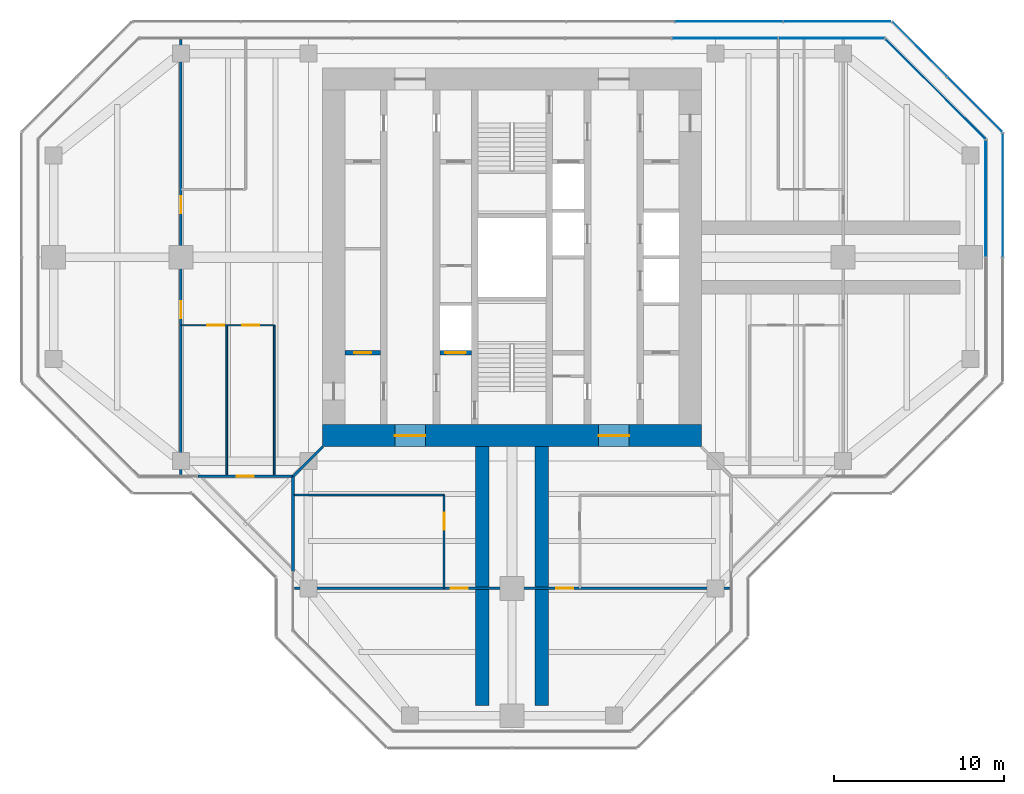
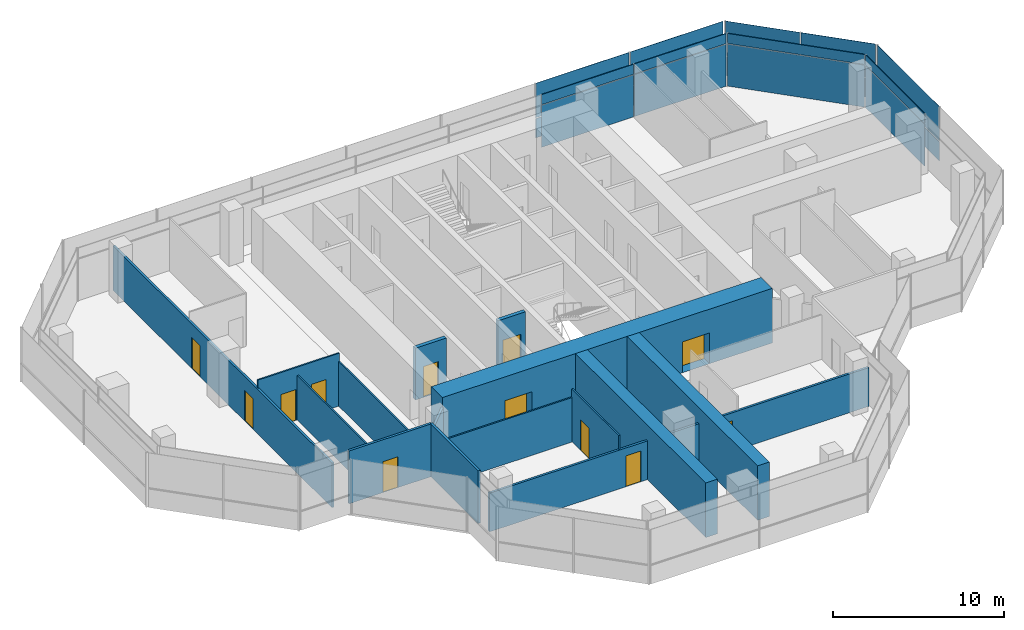
# One storey, part 11 of 16: 18 plates, 15 walls, 12 doors, 12 openings, 6 elements without a shape of their own.
"""IFC4 building model written with IfcOpenShell, lengths in metres."""

from ifc_helpers import new_model, si_unit, direction, frame, frame_2d, origin, origin_2d, place, context, subcontext, project, spatial, rectangle, extrude, material, layer, layer_set, type_object, element, fill, aggregate, save


model = new_model("IFC4")

# Units and contexts
model_context = context("Model", 3, precision=1e-05, world=origin(), true_north=direction((0.0, 1.0)))
body_context = subcontext(model_context, "Body", "Model", "MODEL_VIEW")
ifc_project = project(units=[si_unit("LENGTHUNIT", "METRE"), si_unit("AREAUNIT", "SQUARE_METRE"), si_unit("VOLUMEUNIT", "CUBIC_METRE"), si_unit("PLANEANGLEUNIT", "RADIAN"), si_unit("MASSUNIT", "GRAM", prefix="KILO")], contexts=[model_context])

# Site, building, storey
site_placement = place(None, origin())
site = spatial("IfcSite", under=ifc_project, at=site_placement, CompositionType="ELEMENT")
building_placement = place(site_placement, origin())
building = spatial("IfcBuilding", under=site, at=building_placement, Name="Mizan Broadcast Tower", CompositionType="ELEMENT")
storey_placement = place(building_placement, frame((0.0, 0.0, 294.60009765625)))
storey = spatial("IfcBuildingStorey", under=building, at=storey_placement, Name="L70", CompositionType="ELEMENT", Elevation=294.60009765625)

# Curtain wall, plate
ifc_material_1 = material(Name="Aluminium framed glazing", Category="aluminium")
curtain_wall_type_1 = type_object("IfcCurtainWallType", Name="INNER SKIN TOP ZONE", PredefinedType="USERDEFINED", material=ifc_material_1)
curtain_wall_1_placement = place(storey_placement, origin())
curtain_wall_1 = element("IfcCurtainWall", 1, at=curtain_wall_1_placement, inside=storey, type_object=curtain_wall_type_1, Name="Inner skin top zone L70 E end", ObjectType="INNER SKIN TOP ZONE", PredefinedType="USERDEFINED")
ifc_material_2 = material(Name="Double glazing, clear low-e", Category="glass")
ifc_layer_1 = layer(ifc_material_2, 0.028076171875)
ifc_layer_set_1 = layer_set([ifc_layer_1], Name="Double glazing, clear low-e")
plate_type_1 = type_object("IfcPlateType", Name="INNER SKIN GLAZING UNIT", PredefinedType="CURTAIN_PANEL", material=ifc_layer_set_1)
plate_1_placement = place(storey_placement, frame((27.89990234375, 3.46435546875, 0.0), z_axis=(0.0, 0.0, 1.0), x_axis=(0.0, 1.0, 0.0)))
plate_1 = element("IfcPlate", 2, at=plate_1_placement, type_object=plate_type_1, Name="Inner skin top zone L70 E end panel 2.1", PredefinedType="CURTAIN_PANEL", context=body_context, shape_type="SweptSolid", body=[
    extrude(rectangle(XDim=6.86865234375, YDim=0.028076171875, at=origin_2d()), origin(), (0.0, 0.0, 1.0), 3.0),
])

curtain_wall_2_placement = place(storey_placement, origin())
curtain_wall_2 = element("IfcCurtainWall", 3, at=curtain_wall_2_placement, inside=storey, type_object=curtain_wall_type_1, Name="Inner skin top zone L70 E chamfer", ObjectType="INNER SKIN TOP ZONE", PredefinedType="USERDEFINED")
plate_2_placement = place(storey_placement, frame((24.92919921875, 9.92919921875, 0.0), z_axis=(0.0, 0.0, 1.0), x_axis=(-0.707106781187, 0.707106781187, 0.0)))
plate_2 = element("IfcPlate", 4, at=plate_2_placement, type_object=plate_type_1, Name="Inner skin top zone L70 E chamfer panel 1.1", PredefinedType="CURTAIN_PANEL", context=body_context, shape_type="SweptSolid", body=[
    extrude(rectangle(XDim=8.282470703125, YDim=0.028076171875, at=origin_2d()), origin(), (0.0, 0.0, 1.0), 3.0),
])

# Curtain wall, plates
curtain_wall_3_placement = place(storey_placement, origin())
curtain_wall_3 = element("IfcCurtainWall", 5, at=curtain_wall_3_placement, inside=storey, type_object=curtain_wall_type_1, Name="Inner skin top zone L70 N end", ObjectType="INNER SKIN TOP ZONE", PredefinedType="USERDEFINED")
plate_3_placement = place(storey_placement, frame((18.806640625, 12.89990234375, 0.0), z_axis=(0.0, 0.0, 1.0), x_axis=(-1.0, 0.0, 0.0)))
plate_3 = element("IfcPlate", 6, at=plate_3_placement, type_object=plate_type_1, Name="Inner skin top zone L70 N end panel 1.1", PredefinedType="CURTAIN_PANEL", context=body_context, shape_type="SweptSolid", body=[
    extrude(rectangle(XDim=6.183837890625, YDim=0.028076171875, at=origin_2d()), origin(), (0.0, 0.0, 1.0), 3.0),
])
plate_4_placement = place(storey_placement, frame((12.5478515625, 12.89990234375, 0.0), z_axis=(0.0, 0.0, 1.0), x_axis=(-1.0, 0.0, 0.0)))
plate_4 = element("IfcPlate", 7, at=plate_4_placement, type_object=plate_type_1, Name="Inner skin top zone L70 N end panel 2.1", PredefinedType="CURTAIN_PANEL", context=body_context, shape_type="SweptSolid", body=[
    extrude(rectangle(XDim=6.2138671875, YDim=0.028076171875, at=origin_2d()), origin(), (0.0, 0.0, 1.0), 3.0),
])

# Plate
ifc_material_3 = material(Name="Insulated aluminium spandrel panel, pale anodised", Category="aluminium")
ifc_layer_2 = layer(ifc_material_3, 0.050048828125)
ifc_layer_set_2 = layer_set([ifc_layer_2], Name="Insulated aluminium spandrel panel, pale anodised")
plate_type_2 = type_object("IfcPlateType", Name="INNER SKIN SPANDREL PANEL", PredefinedType="CURTAIN_PANEL", material=ifc_layer_set_2)
plate_5_placement = place(storey_placement, frame((27.89990234375, 3.46435546875, 3.059814453125), z_axis=(0.0, 0.0, 1.0), x_axis=(0.0, 1.0, 0.0)))
plate_5 = element("IfcPlate", 8, at=plate_5_placement, type_object=plate_type_2, Name="Inner skin top zone L70 E end panel 2.2", PredefinedType="CURTAIN_PANEL", context=body_context, shape_type="SweptSolid", body=[
    extrude(rectangle(XDim=6.86865234375, YDim=0.050048828125, at=origin_2d()), origin(), (0.0, 0.0, 1.0), 0.7099609375),
])

aggregate(curtain_wall_1, [plate_1, plate_5])

plate_6_placement = place(storey_placement, frame((24.92919921875, 9.92919921875, 3.059814453125), z_axis=(0.0, 0.0, 1.0), x_axis=(-0.707106781187, 0.707106781187, 0.0)))
plate_6 = element("IfcPlate", 9, at=plate_6_placement, type_object=plate_type_2, Name="Inner skin top zone L70 E chamfer panel 1.2", PredefinedType="CURTAIN_PANEL", context=body_context, shape_type="SweptSolid", body=[
    extrude(rectangle(XDim=8.282470703125, YDim=0.050048828125, at=origin_2d()), origin(), (0.0, 0.0, 1.0), 0.7099609375),
])

aggregate(curtain_wall_2, [plate_2, plate_6])

plate_7_placement = place(storey_placement, frame((18.806640625, 12.89990234375, 3.059814453125), z_axis=(0.0, 0.0, 1.0), x_axis=(-1.0, 0.0, 0.0)))
plate_7 = element("IfcPlate", 10, at=plate_7_placement, type_object=plate_type_2, Name="Inner skin top zone L70 N end panel 1.2", PredefinedType="CURTAIN_PANEL", context=body_context, shape_type="SweptSolid", body=[
    extrude(rectangle(XDim=6.183837890625, YDim=0.050048828125, at=origin_2d()), origin(), (0.0, 0.0, 1.0), 0.7099609375),
])

plate_8_placement = place(storey_placement, frame((12.5478515625, 12.89990234375, 3.059814453125), z_axis=(0.0, 0.0, 1.0), x_axis=(-1.0, 0.0, 0.0)))
plate_8 = element("IfcPlate", 11, at=plate_8_placement, type_object=plate_type_2, Name="Inner skin top zone L70 N end panel 2.2", PredefinedType="CURTAIN_PANEL", context=body_context, shape_type="SweptSolid", body=[
    extrude(rectangle(XDim=6.2138671875, YDim=0.050048828125, at=origin_2d()), origin(), (0.0, 0.0, 1.0), 0.7099609375),
])

aggregate(curtain_wall_3, [plate_3, plate_7, plate_4, plate_8])

# Curtain wall, plates
ifc_material_4 = material(Name="Aluminium framed glazing", Category="aluminium")
curtain_wall_type_2 = type_object("IfcCurtainWallType", Name="OUTER SKIN", PredefinedType="USERDEFINED", material=ifc_material_4)
curtain_wall_4_placement = place(storey_placement, origin())
curtain_wall_4 = element("IfcCurtainWall", 12, at=curtain_wall_4_placement, inside=storey, type_object=curtain_wall_type_2, Name="Outer skin L70 E chamfer", ObjectType="OUTER SKIN", PredefinedType="USERDEFINED")
ifc_material_5 = material(Name="Laminated clear glass", Category="glass")
ifc_layer_3 = layer(ifc_material_5, 0.02001953125)
ifc_layer_set_3 = layer_set([ifc_layer_3], Name="Laminated clear glass")
plate_type_3 = type_object("IfcPlateType", Name="OUTER SKIN CLEAR GLASS", PredefinedType="CURTAIN_PANEL", material=ifc_layer_set_3)
plate_9_placement = place(storey_placement, frame((27.254150390625, 9.018798828125, -0.000244140625), z_axis=(0.0, 0.0, 1.0), x_axis=(-0.707106781187, 0.707106781187, 0.0)))
plate_9 = element("IfcPlate", 13, at=plate_9_placement, type_object=plate_type_3, Name="Outer skin L70 E chamfer panel 1.1", PredefinedType="CURTAIN_PANEL", context=body_context, shape_type="SweptSolid", body=[
    extrude(rectangle(XDim=4.495361328125, YDim=0.02001953125, at=origin_2d()), origin(), (0.0, 0.0, 1.0), 1.3701171875),
])
plate_10_placement = place(storey_placement, frame((27.254150390625, 9.018798828125, 1.4296875), z_axis=(0.0, 0.0, 1.0), x_axis=(-0.707106781187, 0.707106781187, 0.0)))
plate_10 = element("IfcPlate", 14, at=plate_10_placement, type_object=plate_type_3, Name="Outer skin L70 E chamfer panel 1.2", PredefinedType="CURTAIN_PANEL", context=body_context, shape_type="SweptSolid", body=[
    extrude(rectangle(XDim=4.495361328125, YDim=0.02001953125, at=origin_2d()), origin(), (0.0, 0.0, 1.0), 2.469970703125),
])

curtain_wall_5_placement = place(storey_placement, origin())
curtain_wall_5 = element("IfcCurtainWall", 15, at=curtain_wall_5_placement, inside=storey, type_object=curtain_wall_type_2, Name="Outer skin L70 N end", ObjectType="OUTER SKIN", PredefinedType="USERDEFINED")
plate_11_placement = place(storey_placement, frame((19.15673828125, 13.89990234375, -0.000244140625), z_axis=(0.0, 0.0, 1.0), x_axis=(-1.0, 0.0, 0.0)))
plate_11 = element("IfcPlate", 16, at=plate_11_placement, type_object=plate_type_3, Name="Outer skin L70 N end panel 1.1", PredefinedType="CURTAIN_PANEL", context=body_context, shape_type="SweptSolid", body=[
    extrude(rectangle(XDim=6.272216796875, YDim=0.02001953125, at=origin_2d()), origin(), (0.0, 0.0, 1.0), 1.3701171875),
])
plate_12_placement = place(storey_placement, frame((19.15673828125, 13.89990234375, 1.4296875), z_axis=(0.0, 0.0, 1.0), x_axis=(-1.0, 0.0, 0.0)))
plate_12 = element("IfcPlate", 17, at=plate_12_placement, type_object=plate_type_3, Name="Outer skin L70 N end panel 1.2", PredefinedType="CURTAIN_PANEL", context=body_context, shape_type="SweptSolid", body=[
    extrude(rectangle(XDim=6.272216796875, YDim=0.02001953125, at=origin_2d()), origin(), (0.0, 0.0, 1.0), 2.469970703125),
])
plate_13_placement = place(storey_placement, frame((12.784423828125, 13.89990234375, -0.000244140625), z_axis=(0.0, 0.0, 1.0), x_axis=(-1.0, 0.0, 0.0)))
plate_13 = element("IfcPlate", 18, at=plate_13_placement, type_object=plate_type_3, Name="Outer skin L70 N end panel 2.1", PredefinedType="CURTAIN_PANEL", context=body_context, shape_type="SweptSolid", body=[
    extrude(rectangle(XDim=6.312255859375, YDim=0.02001953125, at=origin_2d()), origin(), (0.0, 0.0, 1.0), 1.3701171875),
])
plate_14_placement = place(storey_placement, frame((12.784423828125, 13.89990234375, 1.4296875), z_axis=(0.0, 0.0, 1.0), x_axis=(-1.0, 0.0, 0.0)))
plate_14 = element("IfcPlate", 19, at=plate_14_placement, type_object=plate_type_3, Name="Outer skin L70 N end panel 2.2", PredefinedType="CURTAIN_PANEL", context=body_context, shape_type="SweptSolid", body=[
    extrude(rectangle(XDim=6.312255859375, YDim=0.02001953125, at=origin_2d()), origin(), (0.0, 0.0, 1.0), 2.469970703125),
])
aggregate(curtain_wall_5, [plate_11, plate_12, plate_13, plate_14])

curtain_wall_6_placement = place(storey_placement, origin())
curtain_wall_6 = element("IfcCurtainWall", 20, at=curtain_wall_6_placement, inside=storey, type_object=curtain_wall_type_2, Name="Outer skin L70 E end", ObjectType="OUTER SKIN", PredefinedType="USERDEFINED")
ifc_material_6 = material(Name="Perforated aluminium, pale anodised", Category="aluminium")
ifc_layer_4 = layer(ifc_material_6, 0.011962890625)
ifc_layer_set_4 = layer_set([ifc_layer_4], Name="Perforated aluminium, pale anodised")
plate_type_4 = type_object("IfcPlateType", Name="OUTER SKIN PERFORATED SCREEN", PredefinedType="USERDEFINED", material=ifc_layer_set_4)
plate_15_placement = place(storey_placement, frame((28.89990234375, 3.66650390625, -0.000244140625), z_axis=(0.0, 0.0, 1.0), x_axis=(0.0, 1.0, 0.0)))
plate_15 = element("IfcPlate", 21, at=plate_15_placement, type_object=plate_type_4, Name="Outer skin L70 E end panel 2.1", ObjectType="SCREEN", PredefinedType="USERDEFINED", context=body_context, shape_type="SweptSolid", body=[
    extrude(rectangle(XDim=7.252685546875, YDim=0.011962890625, at=origin_2d()), origin(), (0.0, 0.0, 1.0), 1.3701171875),
])
plate_16_placement = place(storey_placement, frame((28.89990234375, 3.66650390625, 1.4296875), z_axis=(0.0, 0.0, 1.0), x_axis=(0.0, 1.0, 0.0)))
plate_16 = element("IfcPlate", 22, at=plate_16_placement, type_object=plate_type_4, Name="Outer skin L70 E end panel 2.2", ObjectType="SCREEN", PredefinedType="USERDEFINED", context=body_context, shape_type="SweptSolid", body=[
    extrude(rectangle(XDim=7.252685546875, YDim=0.011962890625, at=origin_2d()), origin(), (0.0, 0.0, 1.0), 2.469970703125),
])
aggregate(curtain_wall_6, [plate_15, plate_16])

# Plate
plate_17_placement = place(storey_placement, frame((24.018798828125, 12.254150390625, -0.000244140625), z_axis=(0.0, 0.0, 1.0), x_axis=(-0.707106781187, 0.707106781187, 0.0)))
plate_17 = element("IfcPlate", 23, at=plate_17_placement, type_object=plate_type_4, Name="Outer skin L70 E chamfer panel 2.1", ObjectType="SCREEN", PredefinedType="USERDEFINED", context=body_context, shape_type="SweptSolid", body=[
    extrude(rectangle(XDim=4.495361328125, YDim=0.011962890625, at=origin_2d()), origin(), (0.0, 0.0, 1.0), 1.3701171875),
])

plate_18_placement = place(storey_placement, frame((24.018798828125, 12.254150390625, 1.4296875), z_axis=(0.0, 0.0, 1.0), x_axis=(-0.707106781187, 0.707106781187, 0.0)))
plate_18 = element("IfcPlate", 24, at=plate_18_placement, type_object=plate_type_4, Name="Outer skin L70 E chamfer panel 2.2", ObjectType="SCREEN", PredefinedType="USERDEFINED", context=body_context, shape_type="SweptSolid", body=[
    extrude(rectangle(XDim=4.495361328125, YDim=0.011962890625, at=origin_2d()), origin(), (0.0, 0.0, 1.0), 2.469970703125),
])

aggregate(curtain_wall_4, [plate_9, plate_10, plate_17, plate_18])

# Wall, openings, doors
ifc_material_7 = material(Name="Concrete C70/85", Category="concrete")
ifc_layer_5 = layer(ifc_material_7, 1.300048828125)
ifc_layer_set_5 = layer_set([ifc_layer_5], Name="Concrete C70/85")
wall_type_1 = type_object("IfcWallType", Name="CORE WALL 1300", PredefinedType="SHEAR", material=ifc_layer_set_5)
wall_1_placement = place(storey_placement, frame((11.14990234375, -10.5, 0.0), z_axis=(0.0, 0.0, 1.0), x_axis=(-1.0, 0.0, 0.0)))
wall_1 = element("IfcWall", 25, at=wall_1_placement, inside=storey, type_object=wall_type_1, Name="Core wall S L70", PredefinedType="SHEAR", context=body_context, shape_type="SweptSolid", body=[
    extrude(rectangle(XDim=22.2998046875, YDim=1.300048828125, at=frame_2d((11.14990234375, 0.0))), origin(), (0.0, 0.0, 1.0), 3.89990234375),
])
opening_1_placement = place(wall_1_placement, frame((16.25, 0.0, 0.0)))
opening_1 = element("IfcOpeningElement", 26, at=opening_1_placement, cuts=wall_1, Name="Opening D18F", PredefinedType="OPENING", context=body_context, shape_type="SweptSolid", body=[
    extrude(rectangle(XDim=1.800048828125, YDim=2.199951171875, at=frame_2d((0.89990234375, 1.10009765625))), frame((0.0, 0.659912109375, 0.0), z_axis=(0.0, -1.0, 0.0), x_axis=(1.0, 0.0, 0.0)), (0.0, 0.0, 1.0), 1.320068359375),
])
opening_2_placement = place(wall_1_placement, frame((4.25, 0.0, 0.0)))
opening_2 = element("IfcOpeningElement", 27, at=opening_2_placement, cuts=wall_1, Name="Opening D18F", PredefinedType="OPENING", context=body_context, shape_type="SweptSolid", body=[
    extrude(rectangle(XDim=1.800048828125, YDim=2.199951171875, at=frame_2d((0.89990234375, 1.10009765625))), frame((0.0, 0.659912109375, 0.0), z_axis=(0.0, -1.0, 0.0), x_axis=(1.0, 0.0, 0.0)), (0.0, 0.0, 1.0), 1.320068359375),
])
ifc_material_8 = material(Name="Steel door leaf in steel frame", Category="steel")
door_type_1 = type_object("IfcDoorType", Name="LOBBY DOUBLE DOOR 1800 FD90", OperationType="DOUBLE_DOOR_DOUBLE_SWING", PredefinedType="DOOR", material=ifc_material_8)
door_1_placement = place(opening_1_placement, origin())
door_1 = element("IfcDoor", 28, at=door_1_placement, inside=storey, type_object=door_type_1, Name="West lift lobby south door", OperationType="DOUBLE_DOOR_DOUBLE_SWING", OverallHeight=2.199951171875, OverallWidth=1.800048828125, PredefinedType="DOOR", context=body_context, shape_type="SweptSolid", body=[
    extrude(rectangle(XDim=1.800048828125, YDim=2.199951171875, at=frame_2d((0.89990234375, 1.10009765625))), frame((0.0, 0.02490234375, 0.0), z_axis=(0.0, -1.0, 0.0), x_axis=(1.0, 0.0, 0.0)), (0.0, 0.0, 1.0), 0.050048828125),
])
fill(opening_1, door_1)
door_2_placement = place(opening_2_placement, origin())
door_2 = element("IfcDoor", 29, at=door_2_placement, inside=storey, type_object=door_type_1, Name="East lift lobby south door", OperationType="DOUBLE_DOOR_DOUBLE_SWING", OverallHeight=2.199951171875, OverallWidth=1.800048828125, PredefinedType="DOOR", context=body_context, shape_type="SweptSolid", body=[
    extrude(rectangle(XDim=1.800048828125, YDim=2.199951171875, at=frame_2d((0.89990234375, 1.10009765625))), frame((0.0, 0.02490234375, 0.0), z_axis=(0.0, -1.0, 0.0), x_axis=(1.0, 0.0, 0.0)), (0.0, 0.0, 1.0), 0.050048828125),
])
fill(opening_2, door_2)

# Wall, opening, door
ifc_material_9 = material(Name="Aluminium framed glazed screen", Category="aluminium")
ifc_layer_6 = layer(ifc_material_9, 0.159912109375)
ifc_layer_set_6 = layer_set([ifc_layer_6], Name="Aluminium framed glazed screen")
wall_type_2 = type_object("IfcWallType", Name="GLAZED SCREEN WALL 160", PredefinedType="SOLIDWALL", material=ifc_layer_set_6)
wall_2_placement = place(storey_placement, frame((-18.5, -12.89990234375, 0.0), z_axis=(0.0, 0.0, 1.0), x_axis=(1.0, 0.0, 0.0)))
wall_2 = element("IfcWall", 30, at=wall_2_placement, inside=storey, type_object=wall_type_2, Name="Winter garden screen L70 W", PredefinedType="SOLIDWALL", context=body_context, shape_type="SweptSolid", body=[
    extrude(rectangle(XDim=5.60009765625, YDim=0.159912109375, at=frame_2d((2.800048828125, 0.0))), origin(), (0.0, 0.0, 1.0), 3.77001953125),
])
opening_3_placement = place(wall_2_placement, frame((2.300048828125, 0.0, 0.0)))
opening_3 = element("IfcOpeningElement", 31, at=opening_3_placement, cuts=wall_2, Name="Opening WGD", PredefinedType="OPENING", context=body_context, shape_type="SweptSolid", body=[
    extrude(rectangle(XDim=1.0, YDim=2.199951171875, at=frame_2d((0.5, 1.10009765625))), frame((0.0, 0.08984375, 0.0), z_axis=(0.0, -1.0, 0.0), x_axis=(1.0, 0.0, 0.0)), (0.0, 0.0, 1.0), 0.179931640625),
])
ifc_material_10 = material(Name="Aluminium framed glazed door", Category="aluminium")
door_type_2 = type_object("IfcDoorType", Name="WINTER GARDEN DOOR 1000 GLAZED", OperationType="SINGLE_SWING_LEFT", PredefinedType="DOOR", material=ifc_material_10)
door_3_placement = place(opening_3_placement, origin())
door_3 = element("IfcDoor", 32, at=door_3_placement, inside=storey, type_object=door_type_2, Name="Winter garden door L70 W", OperationType="SINGLE_SWING_RIGHT", OverallHeight=2.199951171875, OverallWidth=1.0, PredefinedType="DOOR", context=body_context, shape_type="SweptSolid", body=[
    extrude(rectangle(XDim=1.0, YDim=2.199951171875, at=frame_2d((0.5, 1.10009765625))), frame((0.0, 0.02490234375, 0.0), z_axis=(0.0, -1.0, 0.0), x_axis=(1.0, 0.0, 0.0)), (0.0, 0.0, 1.0), 0.050048828125),
])
fill(opening_3, door_3)

# Wall
wall_3_placement = place(storey_placement, frame((-12.89990234375, -12.89990234375, 0.0), z_axis=(0.0, 0.0, 1.0), x_axis=(0.0, -1.0, 0.0)))
element("IfcWall", 33, at=wall_3_placement, inside=storey, type_object=wall_type_2, Name="Winter garden screen L70 S", PredefinedType="SOLIDWALL", context=body_context, shape_type="SweptSolid", body=[
    extrude(rectangle(XDim=5.60009765625, YDim=0.159912109375, at=frame_2d((2.800048828125, 0.0))), origin(), (0.0, 0.0, 1.0), 3.77001953125),
])

# Wall, opening, door
ifc_material_11 = material(Name="Concrete blockwork", Category="masonry")
ifc_layer_7 = layer(ifc_material_11, 0.25)
ifc_layer_set_7 = layer_set([ifc_layer_7], Name="Concrete blockwork")
wall_type_3 = type_object("IfcWallType", Name="LOBBY ENCLOSURE WALL 250", PredefinedType="SOLIDWALL", material=ifc_layer_set_7)
wall_4_placement = place(storey_placement, frame((-9.85009765625, -5.625, 0.0), z_axis=(0.0, 0.0, 1.0), x_axis=(1.0, 0.0, 0.0)))
wall_4 = element("IfcWall", 34, at=wall_4_placement, inside=storey, type_object=wall_type_3, Name="Lobby enclosure wall CORE/BW1S", PredefinedType="SOLIDWALL", context=body_context, shape_type="SweptSolid", body=[
    extrude(rectangle(XDim=2.10009765625, YDim=0.25, at=frame_2d((1.050048828125, 0.0))), origin(), (0.0, 0.0, 1.0), 3.699951171875),
])
opening_4_placement = place(wall_4_placement, frame((0.550048828125, 0.0, 0.0)))
opening_4 = element("IfcOpeningElement", 35, at=opening_4_placement, cuts=wall_4, Name="Opening D10F", PredefinedType="OPENING", context=body_context, shape_type="SweptSolid", body=[
    extrude(rectangle(XDim=1.0, YDim=2.199951171875, at=frame_2d((0.5, 1.10009765625))), frame((0.0, 0.135009765625, 0.0), z_axis=(0.0, -1.0, 0.0), x_axis=(1.0, 0.0, 0.0)), (0.0, 0.0, 1.0), 0.27001953125),
])
ifc_material_12 = material(Name="Steel door leaf in steel frame", Category="steel")
door_type_3 = type_object("IfcDoorType", Name="FIRE DOOR 1000 FD90", OperationType="SINGLE_SWING_LEFT", PredefinedType="DOOR", material=ifc_material_12)
door_4_placement = place(opening_4_placement, origin())
door_4 = element("IfcDoor", 36, at=door_4_placement, inside=storey, type_object=door_type_3, Name="Vending room door", OperationType="SINGLE_SWING_RIGHT", OverallHeight=2.199951171875, OverallWidth=1.0, PredefinedType="DOOR", context=body_context, shape_type="SweptSolid", body=[
    extrude(rectangle(XDim=1.0, YDim=2.199951171875, at=frame_2d((0.5, 1.10009765625))), frame((0.0, 0.02490234375, 0.0), z_axis=(0.0, -1.0, 0.0), x_axis=(1.0, 0.0, 0.0)), (0.0, 0.0, 1.0), 0.050048828125),
])
fill(opening_4, door_4)

wall_5_placement = place(storey_placement, frame((-4.25, -5.625, 0.0), z_axis=(0.0, 0.0, 1.0), x_axis=(1.0, 0.0, 0.0)))
wall_5 = element("IfcWall", 37, at=wall_5_placement, inside=storey, type_object=wall_type_3, Name="Lobby enclosure wall CORE/BW2S", PredefinedType="SOLIDWALL", context=body_context, shape_type="SweptSolid", body=[
    extrude(rectangle(XDim=1.85009765625, YDim=0.25, at=frame_2d((0.925048828125, 0.0))), origin(), (0.0, 0.0, 1.0), 3.699951171875),
])
opening_5_placement = place(wall_5_placement, frame((0.324951171875, 0.0, 0.0)))
opening_5 = element("IfcOpeningElement", 38, at=opening_5_placement, cuts=wall_5, Name="Opening LDF", PredefinedType="OPENING", context=body_context, shape_type="SweptSolid", body=[
    extrude(rectangle(XDim=1.199951171875, YDim=2.199951171875, at=frame_2d((0.60009765625, 1.10009765625))), frame((0.0, 0.135009765625, 0.0), z_axis=(0.0, -1.0, 0.0), x_axis=(1.0, 0.0, 0.0)), (0.0, 0.0, 1.0), 0.27001953125),
])
ifc_material_13 = material(Name="Steel door leaf in steel frame", Category="steel")
door_type_4 = type_object("IfcDoorType", Name="FIREFIGHTING LIFT LANDING DOOR 1200", OperationType="SLIDING_TO_LEFT", PredefinedType="DOOR", material=ifc_material_13)
door_5_placement = place(opening_5_placement, origin())
door_5 = element("IfcDoor", 39, at=door_5_placement, inside=storey, type_object=door_type_4, Name="Landing door FF1", OperationType="SLIDING_TO_LEFT", OverallHeight=2.199951171875, OverallWidth=1.199951171875, PredefinedType="DOOR", context=body_context, shape_type="SweptSolid", body=[
    extrude(rectangle(XDim=1.199951171875, YDim=2.199951171875, at=frame_2d((0.60009765625, 1.10009765625))), frame((0.0, 0.02490234375, 0.0), z_axis=(0.0, -1.0, 0.0), x_axis=(1.0, 0.0, 0.0)), (0.0, 0.0, 1.0), 0.050048828125),
])
fill(opening_5, door_5)

# Wall, openings, doors
ifc_material_14 = material(Name="Gypsum board on steel studs", Category="steel")
ifc_layer_8 = layer(ifc_material_14, 0.14990234375)
ifc_layer_set_8 = layer_set([ifc_layer_8], Name="Gypsum board on steel studs")
wall_type_4 = type_object("IfcWallType", Name="PARTITION 150", PredefinedType="PARTITIONING", material=ifc_layer_set_8)
wall_6_placement = place(storey_placement, frame((-19.5, 12.820068359375, 0.0), z_axis=(0.0, 0.0, 1.0), x_axis=(0.0, -1.0, 0.0)))
wall_6 = element("IfcWall", 40, at=wall_6_placement, inside=storey, type_object=wall_type_4, Name="Partition PT/WX1", PredefinedType="PARTITIONING", context=body_context, shape_type="SweptSolid", body=[
    extrude(rectangle(XDim=25.64013671875, YDim=0.14990234375, at=frame_2d((12.820068359375, 0.0))), origin(), (0.0, 0.0, 1.0), 3.179931640625),
])
opening_6_placement = place(wall_6_placement, frame((15.419921875, 0.0, 0.0)))
opening_6 = element("IfcOpeningElement", 41, at=opening_6_placement, cuts=wall_6, Name="Opening D10", PredefinedType="OPENING", context=body_context, shape_type="SweptSolid", body=[
    extrude(rectangle(XDim=1.0, YDim=2.199951171875, at=frame_2d((0.5, 1.10009765625))), frame((0.0, 0.0849609375, 0.0), z_axis=(0.0, -1.0, 0.0), x_axis=(1.0, 0.0, 0.0)), (0.0, 0.0, 1.0), 0.169921875),
])
opening_7_placement = place(wall_6_placement, frame((9.219970703125, 0.0, 0.0)))
opening_7 = element("IfcOpeningElement", 42, at=opening_7_placement, cuts=wall_6, Name="Opening D10", PredefinedType="OPENING", context=body_context, shape_type="SweptSolid", body=[
    extrude(rectangle(XDim=1.0, YDim=2.199951171875, at=frame_2d((0.5, 1.10009765625))), frame((0.0, 0.0849609375, 0.0), z_axis=(0.0, -1.0, 0.0), x_axis=(1.0, 0.0, 0.0)), (0.0, 0.0, 1.0), 0.169921875),
])
ifc_material_15 = material(Name="Timber door leaf in aluminium frame", Category="wood")
door_type_5 = type_object("IfcDoorType", Name="ROOM DOOR 1000", OperationType="SINGLE_SWING_LEFT", PredefinedType="DOOR", material=ifc_material_15)
door_6_placement = place(opening_6_placement, origin())
door_6 = element("IfcDoor", 43, at=door_6_placement, inside=storey, type_object=door_type_5, Name="Executive assistants' office door", OperationType="SINGLE_SWING_RIGHT", OverallHeight=2.199951171875, OverallWidth=1.0, PredefinedType="DOOR", context=body_context, shape_type="SweptSolid", body=[
    extrude(rectangle(XDim=1.0, YDim=2.199951171875, at=frame_2d((0.5, 1.10009765625))), frame((0.0, 0.02490234375, 0.0), z_axis=(0.0, -1.0, 0.0), x_axis=(1.0, 0.0, 0.0)), (0.0, 0.0, 1.0), 0.050048828125),
])
fill(opening_6, door_6)
door_7_placement = place(opening_7_placement, origin())
door_7 = element("IfcDoor", 44, at=door_7_placement, inside=storey, type_object=door_type_5, Name="Executive assistants' office door", OperationType="SINGLE_SWING_LEFT", OverallHeight=2.199951171875, OverallWidth=1.0, PredefinedType="DOOR", context=body_context, shape_type="SweptSolid", body=[
    extrude(rectangle(XDim=1.0, YDim=2.199951171875, at=frame_2d((0.5, 1.10009765625))), frame((0.0, 0.02490234375, 0.0), z_axis=(0.0, -1.0, 0.0), x_axis=(1.0, 0.0, 0.0)), (0.0, 0.0, 1.0), 0.050048828125),
])
fill(opening_7, door_7)

wall_7_placement = place(storey_placement, frame((-12.820068359375, -19.5, 0.0), z_axis=(0.0, 0.0, 1.0), x_axis=(1.0, 0.0, 0.0)))
wall_7 = element("IfcWall", 45, at=wall_7_placement, inside=storey, type_object=wall_type_4, Name="Partition PT/SX1", PredefinedType="PARTITIONING", context=body_context, shape_type="SweptSolid", body=[
    extrude(rectangle(XDim=25.64013671875, YDim=0.14990234375, at=frame_2d((12.820068359375, 0.0))), origin(), (0.0, 0.0, 1.0), 2.77001953125),
])
opening_8_placement = place(wall_7_placement, frame((15.419921875, 0.0, 0.0)))
opening_8 = element("IfcOpeningElement", 46, at=opening_8_placement, cuts=wall_7, Name="Opening D10", PredefinedType="OPENING", context=body_context, shape_type="SweptSolid", body=[
    extrude(rectangle(XDim=1.0, YDim=2.199951171875, at=frame_2d((0.5, 1.10009765625))), frame((0.0, 0.0849609375, 0.0), z_axis=(0.0, -1.0, 0.0), x_axis=(1.0, 0.0, 0.0)), (0.0, 0.0, 1.0), 0.169921875),
])
opening_9_placement = place(wall_7_placement, frame((9.219970703125, 0.0, 0.0)))
opening_9 = element("IfcOpeningElement", 47, at=opening_9_placement, cuts=wall_7, Name="Opening D10", PredefinedType="OPENING", context=body_context, shape_type="SweptSolid", body=[
    extrude(rectangle(XDim=1.0, YDim=2.199951171875, at=frame_2d((0.5, 1.10009765625))), frame((0.0, 0.0849609375, 0.0), z_axis=(0.0, -1.0, 0.0), x_axis=(1.0, 0.0, 0.0)), (0.0, 0.0, 1.0), 0.169921875),
])
door_8_placement = place(opening_8_placement, origin())
door_8 = element("IfcDoor", 48, at=door_8_placement, inside=storey, type_object=door_type_5, Name="Board office door", OperationType="SINGLE_SWING_RIGHT", OverallHeight=2.199951171875, OverallWidth=1.0, PredefinedType="DOOR", context=body_context, shape_type="SweptSolid", body=[
    extrude(rectangle(XDim=1.0, YDim=2.199951171875, at=frame_2d((0.5, 1.10009765625))), frame((0.0, 0.02490234375, 0.0), z_axis=(0.0, -1.0, 0.0), x_axis=(1.0, 0.0, 0.0)), (0.0, 0.0, 1.0), 0.050048828125),
])
fill(opening_8, door_8)
door_9_placement = place(opening_9_placement, origin())
door_9 = element("IfcDoor", 49, at=door_9_placement, inside=storey, type_object=door_type_5, Name="Board office door", OperationType="SINGLE_SWING_LEFT", OverallHeight=2.199951171875, OverallWidth=1.0, PredefinedType="DOOR", context=body_context, shape_type="SweptSolid", body=[
    extrude(rectangle(XDim=1.0, YDim=2.199951171875, at=frame_2d((0.5, 1.10009765625))), frame((0.0, 0.02490234375, 0.0), z_axis=(0.0, -1.0, 0.0), x_axis=(1.0, 0.0, 0.0)), (0.0, 0.0, 1.0), 0.050048828125),
])
fill(opening_9, door_9)

# Wall
wall_8_placement = place(storey_placement, frame((-11.14990234375, -11.14990234375, 0.0), z_axis=(0.0, 0.0, 1.0), x_axis=(-0.707106781187, -0.707106781187, 0.0)))
element("IfcWall", 50, at=wall_8_placement, inside=storey, type_object=wall_type_4, Name="Partition PT/DGWS", PredefinedType="PARTITIONING", context=body_context, shape_type="SweptSolid", body=[
    extrude(rectangle(XDim=2.460693359375, YDim=0.14990234375, at=frame_2d((1.23046875, 0.0))), origin(), (0.0, 0.0, 1.0), 3.219970703125),
])

# Wall, openings, doors
ifc_material_16 = material(Name="Glazed aluminium partition on aluminium track", Category="aluminium")
ifc_layer_9 = layer(ifc_material_16, 0.10009765625)
ifc_layer_set_9 = layer_set([ifc_layer_9], Name="Glazed aluminium partition on aluminium track")
wall_type_5 = type_object("IfcWallType", Name="PARTITION GLAZED OFFICE FRONT 100", PredefinedType="PARTITIONING", material=ifc_layer_set_9)
wall_9_placement = place(storey_placement, frame((-14.0, -4.0, 0.0), z_axis=(0.0, 0.0, 1.0), x_axis=(-1.0, 0.0, 0.0)))
wall_9 = element("IfcWall", 51, at=wall_9_placement, inside=storey, type_object=wall_type_5, Name="Glazed office front PT/WCP0", PredefinedType="PARTITIONING", context=body_context, shape_type="SweptSolid", body=[
    extrude(rectangle(XDim=5.5, YDim=0.10009765625, at=frame_2d((2.75, 0.0))), origin(), (0.0, 0.0, 1.0), 3.77001953125),
])
opening_10_placement = place(wall_9_placement, frame((0.89990234375, 0.0, 0.0)))
opening_10 = element("IfcOpeningElement", 52, at=opening_10_placement, cuts=wall_9, Name="Opening D10O", PredefinedType="OPENING", context=body_context, shape_type="SweptSolid", body=[
    extrude(rectangle(XDim=1.0, YDim=2.199951171875, at=frame_2d((0.5, 1.10009765625))), frame((0.0, 0.06005859375, 0.0), z_axis=(0.0, -1.0, 0.0), x_axis=(1.0, 0.0, 0.0)), (0.0, 0.0, 1.0), 0.1201171875),
])
opening_11_placement = place(wall_9_placement, frame((2.949951171875, 0.0, 0.0)))
opening_11 = element("IfcOpeningElement", 53, at=opening_11_placement, cuts=wall_9, Name="Opening D10O", PredefinedType="OPENING", context=body_context, shape_type="SweptSolid", body=[
    extrude(rectangle(XDim=1.0, YDim=2.199951171875, at=frame_2d((0.5, 1.10009765625))), frame((0.0, 0.06005859375, 0.0), z_axis=(0.0, -1.0, 0.0), x_axis=(1.0, 0.0, 0.0)), (0.0, 0.0, 1.0), 0.1201171875),
])
ifc_material_17 = material(Name="Timber door leaf in aluminium frame", Category="wood")
door_type_6 = type_object("IfcDoorType", Name="OFFICE DOOR 1000 GLAZED", OperationType="SINGLE_SWING_LEFT", PredefinedType="DOOR", material=ifc_material_17)
door_10_placement = place(opening_10_placement, origin())
door_10 = element("IfcDoor", 54, at=door_10_placement, inside=storey, type_object=door_type_6, Name="Chief of staff's office door", OperationType="SINGLE_SWING_LEFT", OverallHeight=2.199951171875, OverallWidth=1.0, PredefinedType="DOOR", context=body_context, shape_type="SweptSolid", body=[
    extrude(rectangle(XDim=1.0, YDim=2.199951171875, at=frame_2d((0.5, 1.10009765625))), frame((0.0, 0.02490234375, 0.0), z_axis=(0.0, -1.0, 0.0), x_axis=(1.0, 0.0, 0.0)), (0.0, 0.0, 1.0), 0.050048828125),
])
fill(opening_10, door_10)
door_11_placement = place(opening_11_placement, origin())
door_11 = element("IfcDoor", 55, at=door_11_placement, inside=storey, type_object=door_type_6, Name="Executive meeting room door", OperationType="SINGLE_SWING_RIGHT", OverallHeight=2.199951171875, OverallWidth=1.0, PredefinedType="DOOR", context=body_context, shape_type="SweptSolid", body=[
    extrude(rectangle(XDim=1.0, YDim=2.199951171875, at=frame_2d((0.5, 1.10009765625))), frame((0.0, 0.02490234375, 0.0), z_axis=(0.0, -1.0, 0.0), x_axis=(1.0, 0.0, 0.0)), (0.0, 0.0, 1.0), 0.050048828125),
])
fill(opening_11, door_11)

# Walls
for number, where, z_axis, x_axis, name in (
    (56, (-14.0, -4.0, 0.0), (0.0, 0.0, 1.0), (0.0, -1.0, 0.0), "Glazed office front PT/WQP1400"),
    (57, (-16.800048828125, -4.0, 0.0), (0.0, 0.0, 1.0), (0.0, -1.0, 0.0), "Glazed office front PT/WQP1680"),
):
    element("IfcWall", number, at=place(storey_placement, frame(where, z_axis=z_axis, x_axis=x_axis)), inside=storey, type_object=wall_type_5, Name=name, PredefinedType="PARTITIONING", context=body_context, shape_type="SweptSolid", body=[
        extrude(rectangle(XDim=8.820068359375, YDim=0.10009765625, at=frame_2d((4.41015625, 0.0))), origin(), (0.0, 0.0, 1.0), 3.179931640625),
    ])

# Wall, opening, door
wall_10_placement = place(storey_placement, frame((-4.0, -14.0, 0.0), z_axis=(0.0, 0.0, 1.0), x_axis=(0.0, -1.0, 0.0)))
wall_10 = element("IfcWall", 58, at=wall_10_placement, inside=storey, type_object=wall_type_5, Name="Glazed office front PT/SCN0", PredefinedType="PARTITIONING", context=body_context, shape_type="SweptSolid", body=[
    extrude(rectangle(XDim=5.5, YDim=0.10009765625, at=frame_2d((2.75, 0.0))), origin(), (0.0, 0.0, 1.0), 3.77001953125),
])
opening_12_placement = place(wall_10_placement, frame((1.050048828125, 0.0, 0.0)))
opening_12 = element("IfcOpeningElement", 59, at=opening_12_placement, cuts=wall_10, Name="Opening D10O", PredefinedType="OPENING", context=body_context, shape_type="SweptSolid", body=[
    extrude(rectangle(XDim=1.0, YDim=2.199951171875, at=frame_2d((0.5, 1.10009765625))), frame((0.0, 0.06005859375, 0.0), z_axis=(0.0, -1.0, 0.0), x_axis=(1.0, 0.0, 0.0)), (0.0, 0.0, 1.0), 0.1201171875),
])
door_12_placement = place(opening_12_placement, origin())
door_12 = element("IfcDoor", 60, at=door_12_placement, inside=storey, type_object=door_type_6, Name="Board meeting room door", OperationType="SINGLE_SWING_LEFT", OverallHeight=2.199951171875, OverallWidth=1.0, PredefinedType="DOOR", context=body_context, shape_type="SweptSolid", body=[
    extrude(rectangle(XDim=1.0, YDim=2.199951171875, at=frame_2d((0.5, 1.10009765625))), frame((0.0, 0.02490234375, 0.0), z_axis=(0.0, -1.0, 0.0), x_axis=(1.0, 0.0, 0.0)), (0.0, 0.0, 1.0), 0.050048828125),
])
fill(opening_12, door_12)

# Walls
wall_11_placement = place(storey_placement, frame((-4.0, -14.0, 0.0), z_axis=(0.0, 0.0, 1.0), x_axis=(-1.0, 0.0, 0.0)))
element("IfcWall", 61, at=wall_11_placement, inside=storey, type_object=wall_type_5, Name="Glazed office front PT/SQN1400", PredefinedType="PARTITIONING", context=body_context, shape_type="SweptSolid", body=[
    extrude(rectangle(XDim=8.820068359375, YDim=0.10009765625, at=frame_2d((4.41015625, 0.0))), origin(), (0.0, 0.0, 1.0), 3.179931640625),
])
ifc_material_18 = material(Name="Concrete C70/85", Category="concrete")
ifc_layer_10 = layer(ifc_material_18, 0.800048828125)
ifc_layer_set_10 = layer_set([ifc_layer_10], Name="Concrete C70/85")
wall_type_6 = type_object("IfcWallType", Name="SPINE WALL 800", PredefinedType="SHEAR", material=ifc_layer_set_10)
for number, where, z_axis, x_axis, name in (
    (62, (-1.75, -11.14990234375, 0.0), (0.0, 0.0, 1.0), (0.0, -1.0, 0.0), "Spine wall SR L70"),
    (63, (1.75, -11.14990234375, 0.0), (0.0, 0.0, 1.0), (0.0, -1.0, 0.0), "Spine wall SL L70"),
):
    element("IfcWall", number, at=place(storey_placement, frame(where, z_axis=z_axis, x_axis=x_axis)), inside=storey, type_object=wall_type_6, Name=name, PredefinedType="SHEAR", context=body_context, shape_type="SweptSolid", body=[
        extrude(rectangle(XDim=15.25, YDim=0.800048828125, at=frame_2d((7.625, 0.0))), origin(), (0.0, 0.0, 1.0), 3.89990234375),
    ])

save(model, "model.ifc")
